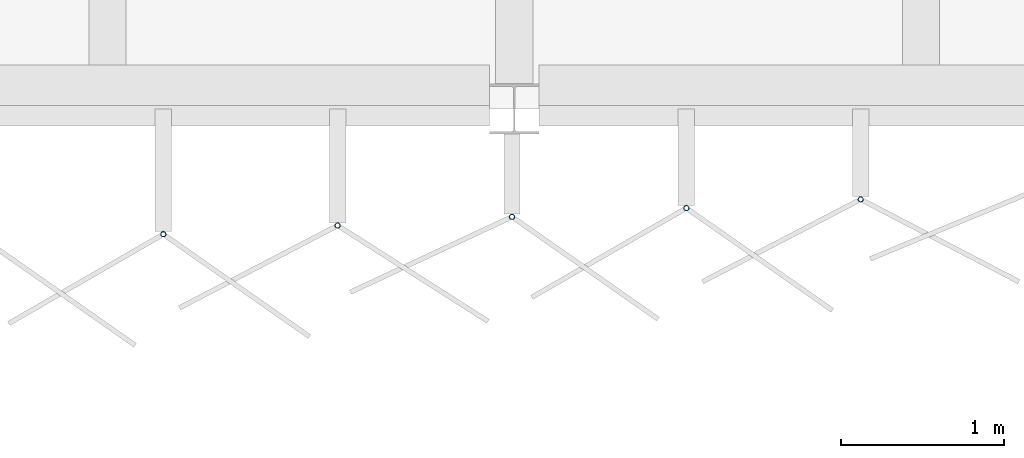
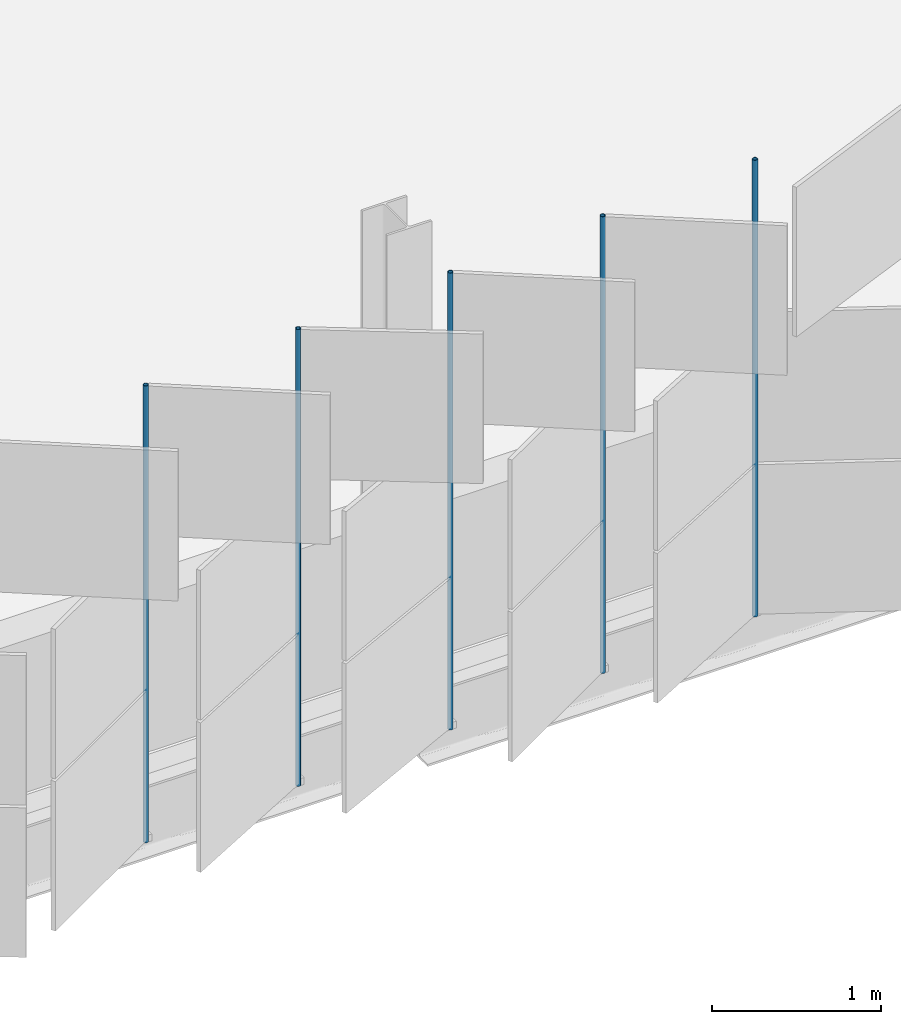
# One storey, part 66 of 198: 5 discrete accessories.
"""IFC4 building model written with IfcOpenShell, lengths in metres."""

from ifc_helpers import new_model, si_unit, direction, frame, origin, origin_2d, place, context, subcontext, project, spatial, hollow_circle, extrude, material, material_profile, profile_set, type_object, element, save


model = new_model("IFC4")

# Units and contexts
model_context = context("Model", 3, precision=1e-05, world=origin(), true_north=direction((0.0, 1.0)))
body_context = subcontext(model_context, "Body", "Model", "MODEL_VIEW")
ifc_project = project(units=[si_unit("LENGTHUNIT", "METRE"), si_unit("AREAUNIT", "SQUARE_METRE"), si_unit("VOLUMEUNIT", "CUBIC_METRE"), si_unit("PLANEANGLEUNIT", "RADIAN"), si_unit("MASSUNIT", "GRAM", prefix="KILO")], contexts=[model_context])

# Site, building, storey
site_placement = place(None, origin())
site = spatial("IfcSite", under=ifc_project, at=site_placement, CompositionType="ELEMENT")
building_placement = place(site_placement, origin())
building = spatial("IfcBuilding", under=site, at=building_placement, Name="Parallax Yard Mobility Hub", CompositionType="ELEMENT")
storey_placement = place(building_placement, frame((0.0, 0.0, 6.60009765625)))
storey = spatial("IfcBuildingStorey", under=building, at=storey_placement, Name="L02", CompositionType="ELEMENT", Elevation=6.60009765625)

# Discrete accessories
ifc_material = material(Name="Steel ASTM A500 Gr C, hot-dip galvanised", Category="steel")
ifc_material_profile = material_profile(ifc_material, hollow_circle(Radius=0.016845703125, WallThickness=0.003173828125, at=origin_2d()), Name="CHS 33.7x3.2")
ifc_profile_set = profile_set([ifc_material_profile], Name="Steel ASTM A500 Gr C, hot-dip galvanised")
discrete_accessory_type = type_object("IfcDiscreteAccessoryType", Name="Hinge post CHS 33.7x3.2", PredefinedType="BRACKET", material=ifc_profile_set)
for number, where, z_axis, x_axis, name in (
    (1, (35.3427734375, 111.73046875, 0.0), (0.0, 0.0, 1.0), (1.0, 0.0, 0.0), "Hinge post bay 1.6 level L02"),
    (2, (36.414306640625, 111.783935546875, 0.0), (0.0, 0.0, 1.0), (1.0, 0.0, 0.0), "Hinge post bay 1.7 level L02"),
    (3, (37.48583984375, 111.83740234375, 0.0), (0.0, 0.0, 1.0), (1.0, 0.0, 0.0), "Hinge post bay 2.1 level L02"),
    (4, (38.557373046875, 111.89111328125, 0.0), (0.0, 0.0, 1.0), (1.0, 0.0, 0.0), "Hinge post bay 2.2 level L02"),
    (5, (39.62890625, 111.944580078125, 0.0), (0.0, 0.0, 1.0), (1.0, 0.0, 0.0), "Hinge post bay 2.3 level L02"),
):
    element("IfcDiscreteAccessory", number, at=place(storey_placement, frame(where, z_axis=z_axis, x_axis=x_axis)), inside=storey, type_object=discrete_accessory_type, Name=name, PredefinedType="BRACKET", context=body_context, shape_type="SweptSolid", body=[
        extrude(hollow_circle(Radius=0.016845703125, WallThickness=0.003173828125, at=origin_2d()), origin(), (0.0, 0.0, 1.0), 3.2998046875),
    ])

save(model, "model.ifc")
